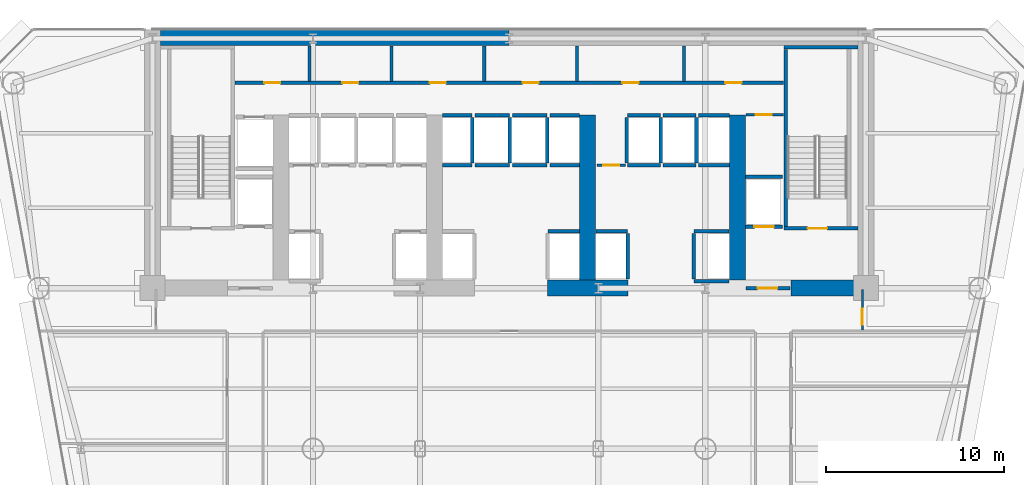
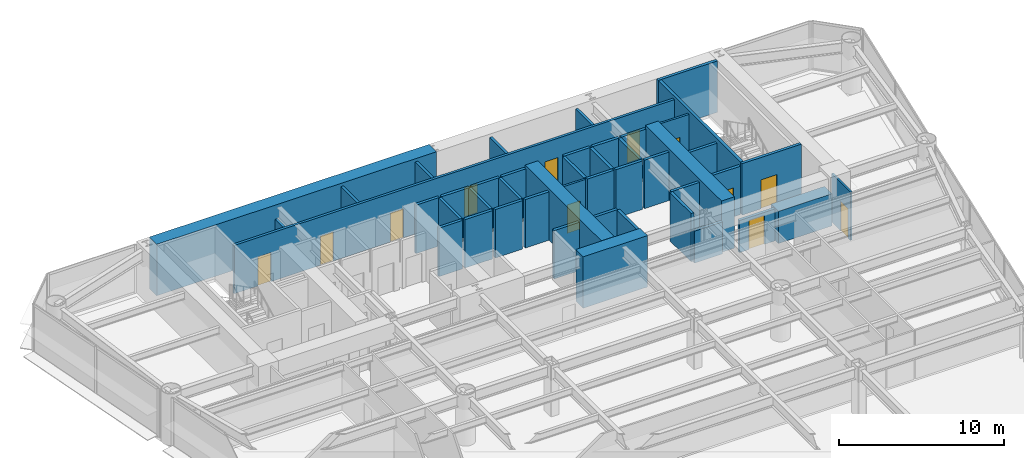
# One storey, part 9 of 14: 46 walls, 12 doors, 12 openings.
"""IFC4 building model written with IfcOpenShell, lengths in metres."""

from ifc_helpers import new_model, si_unit, direction, frame, frame_2d, origin, place, context, subcontext, project, spatial, rectangle, extrude, source, transform, mapped, material, layer, layer_set, type_object, element, fill, save


model = new_model("IFC4")

# Units and contexts
model_context = context("Model", 3, precision=1e-05, world=origin(), true_north=direction((0.0, 1.0)))
body_context = subcontext(model_context, "Body", "Model", "MODEL_VIEW")
ifc_project = project(units=[si_unit("LENGTHUNIT", "METRE"), si_unit("AREAUNIT", "SQUARE_METRE"), si_unit("VOLUMEUNIT", "CUBIC_METRE"), si_unit("PLANEANGLEUNIT", "RADIAN"), si_unit("MASSUNIT", "GRAM", prefix="KILO")], contexts=[model_context])

# Site, building, storey
site_placement = place(None, origin())
site = spatial("IfcSite", under=ifc_project, at=site_placement, CompositionType="ELEMENT")
building_placement = place(site_placement, origin())
building = spatial("IfcBuilding", under=site, at=building_placement, Name="Vaeldorn Concourse Tower", CompositionType="ELEMENT")
storey_placement = place(building_placement, frame((0.0, 0.0, 64.39990234375)))
storey = spatial("IfcBuildingStorey", under=building, at=storey_placement, Name="L16", CompositionType="ELEMENT", Elevation=64.39990234375)

# Walls
ifc_material_1 = material(Name="Concrete C60/75", Category="concrete")
ifc_layer_1 = layer(ifc_material_1, 0.89990234375)
ifc_layer_set_1 = layer_set([ifc_layer_1], Name="Concrete C60/75")
wall_type_1 = type_object("IfcWallType", Name="WL-CORE-900", PredefinedType="SHEAR", material=ifc_layer_set_1)
wall_1_placement = place(storey_placement, frame((14.4541015625, 50.550048828125, 0.0), z_axis=(0.0, 0.0, 1.0), x_axis=(1.0, 0.0, 0.0)))
element("IfcWall", 1, at=wall_1_placement, inside=storey, type_object=wall_type_1, Name="Rear Core Shear Wall L16 N1", PredefinedType="SHEAR", context=body_context, shape_type="SweptSolid", body=[
    extrude(rectangle(XDim=19.5439453125, YDim=0.89990234375, at=frame_2d((9.77197265625, 0.0))), origin(), (0.0, 0.0, 1.0), 3.800048828125),
])
wall_2_placement = place(storey_placement, frame((36.14990234375, 36.5, 0.0), z_axis=(0.0, 0.0, 1.0), x_axis=(1.0, 0.0, 0.0)))
element("IfcWall", 2, at=wall_2_placement, inside=storey, type_object=wall_type_1, Name="Rear Core Shear Wall L16 S3", PredefinedType="SHEAR", context=body_context, shape_type="SweptSolid", body=[
    extrude(rectangle(XDim=4.5, YDim=0.89990234375, at=frame_2d((2.25, 0.0))), origin(), (0.0, 0.0, 1.0), 3.800048828125),
])
wall_3_placement = place(storey_placement, frame((49.800048828125, 36.5, 0.0), z_axis=(0.0, 0.0, 1.0), x_axis=(1.0, 0.0, 0.0)))
element("IfcWall", 3, at=wall_3_placement, inside=storey, type_object=wall_type_1, Name="Rear Core Shear Wall L16 S4", PredefinedType="SHEAR", context=body_context, shape_type="SweptSolid", body=[
    extrude(rectangle(XDim=3.72998046875, YDim=0.89990234375, at=frame_2d((1.864990234375, 0.0))), origin(), (0.0, 0.0, 1.0), 2.380126953125),
])
for number, where, z_axis, x_axis, name in (
    (4, (38.39990234375, 36.969970703125, 0.0), (0.0, 0.0, 1.0), (0.0, 1.0, 0.0), "Rear Core Shear Wall L16 M3"),
    (5, (46.800048828125, 36.969970703125, 0.0), (0.0, 0.0, 1.0), (0.0, 1.0, 0.0), "Rear Core Shear Wall L16 M4"),
):
    element("IfcWall", number, at=place(storey_placement, frame(where, z_axis=z_axis, x_axis=x_axis)), inside=storey, type_object=wall_type_1, Name=name, PredefinedType="SHEAR", context=body_context, shape_type="SweptSolid", body=[
        extrude(rectangle(XDim=9.22998046875, YDim=0.89990234375, at=frame_2d((4.614990234375, 0.0))), origin(), (0.0, 0.0, 1.0), 3.800048828125),
    ])

# Wall, opening, door
ifc_material_2 = material(Name="Gypsum Board Partition", Category="gypsum")
ifc_layer_2 = layer(ifc_material_2, 0.1201171875)
ifc_layer_set_2 = layer_set([ifc_layer_2], Name="Gypsum Board Partition")
wall_type_2 = type_object("IfcWallType", Name="WL-PART-120", PredefinedType="PARTITIONING", material=ifc_layer_set_2)
wall_4_placement = place(storey_placement, frame((53.800048828125, 34.159912109375, 0.0), z_axis=(0.0, 0.0, 1.0), x_axis=(0.0, 1.0, 0.0)))
wall_4 = element("IfcWall", 6, at=wall_4_placement, inside=storey, type_object=wall_type_2, Name="Interior Wall PW-L16-CEET", PredefinedType="PARTITIONING", context=body_context, shape_type="SweptSolid", body=[
    extrude(rectangle(XDim=2.280029296875, YDim=0.1201171875, at=frame_2d((1.14013671875, 0.0))), origin(), (0.0, 0.0, 1.0), 3.580078125),
])
opening_1_placement = place(wall_4_placement, frame((0.300048828125, 0.0, 0.0)))
opening_1 = element("IfcOpeningElement", 7, at=opening_1_placement, cuts=wall_4, Name="Opening D-03", PredefinedType="OPENING", context=body_context, shape_type="SweptSolid", body=[
    extrude(rectangle(XDim=0.89990234375, YDim=2.14990234375, at=frame_2d((0.449951171875, 1.074951171875))), frame((0.0, 0.070068359375, 0.0), z_axis=(0.0, -1.0, 0.0), x_axis=(1.0, 0.0, 0.0)), (0.0, 0.0, 1.0), 0.14013671875),
])
ifc_material_3 = material(Name="Acoustic Bronze-Framed Glass Door", Category="glass")
door_type_1 = type_object("IfcDoorType", Name="DR-INT-900", OperationType="NOTDEFINED", PredefinedType="DOOR", material=ifc_material_3)
shared_shape_1 = source(origin(), body_context, "Body", "SweptSolid", [
    extrude(rectangle(XDim=0.89990234375, YDim=2.14990234375, at=frame_2d((0.449951171875, 1.074951171875))), frame((0.0, 0.02490234375, 0.0), z_axis=(0.0, -1.0, 0.0), x_axis=(1.0, 0.0, 0.0)), (0.0, 0.0, 1.0), 0.050048828125),
])
door_1_placement = place(opening_1_placement, origin())
door_1 = element("IfcDoor", 8, at=door_1_placement, inside=storey, type_object=door_type_1, Name="Interior Door DR-L16-NE1", OperationType="SINGLE_SWING_RIGHT", OverallHeight=2.14990234375, OverallWidth=0.89990234375, PredefinedType="DOOR", context=body_context, shape_type="MappedRepresentation", body=[
    mapped(shared_shape_1, transform((0.0, 0.0, 0.0), scale=1.0)),
])
fill(opening_1, door_1)

ifc_layer_3 = layer(ifc_material_2, 0.14990234375)
ifc_layer_set_3 = layer_set([ifc_layer_3], Name="Gypsum Board Partition")
wall_type_3 = type_object("IfcWallType", Name="WL-PART-150", PredefinedType="PARTITIONING", material=ifc_layer_set_3)
wall_5_placement = place(storey_placement, frame((47.280029296875, 46.219970703125, 0.0), z_axis=(0.0, 0.0, 1.0), x_axis=(1.0, 0.0, 0.0)))
wall_5 = element("IfcWall", 9, at=wall_5_placement, inside=storey, type_object=wall_type_3, Name="Interior Wall CW-L16-CRSE-N", PredefinedType="PARTITIONING", context=body_context, shape_type="SweptSolid", body=[
    extrude(rectangle(XDim=2.099853515625, YDim=0.14990234375, at=frame_2d((1.0498046875, 0.0))), origin(), (0.0, 0.0, 1.0), 3.580078125),
])
opening_2_placement = place(wall_5_placement, frame((0.550048828125, 0.0, 0.0)))
opening_2 = element("IfcOpeningElement", 10, at=opening_2_placement, cuts=wall_5, Name="Opening D-02", PredefinedType="OPENING", context=body_context, shape_type="SweptSolid", body=[
    extrude(rectangle(XDim=0.89990234375, YDim=2.10009765625, at=frame_2d((0.449951171875, 1.050048828125))), frame((0.0, 0.0849609375, 0.0), z_axis=(0.0, -1.0, 0.0), x_axis=(1.0, 0.0, 0.0)), (0.0, 0.0, 1.0), 0.169921875),
])
ifc_material_4 = material(Name="Fire-Rated Timber Leaf", Category="wood")
door_type_2 = type_object("IfcDoorType", Name="DR-FD30-900", OperationType="NOTDEFINED", PredefinedType="DOOR", material=ifc_material_4)
shared_shape_2 = source(origin(), body_context, "Body", "SweptSolid", [
    extrude(rectangle(XDim=0.89990234375, YDim=2.10009765625, at=frame_2d((0.449951171875, 1.050048828125))), frame((0.0, 0.02490234375, 0.0), z_axis=(0.0, -1.0, 0.0), x_axis=(1.0, 0.0, 0.0)), (0.0, 0.0, 1.0), 0.050048828125),
])
door_2_placement = place(opening_2_placement, origin())
door_2 = element("IfcDoor", 11, at=door_2_placement, inside=storey, type_object=door_type_2, Name="Interior Door DR-L16-CRSE", OperationType="SINGLE_SWING_RIGHT", OverallHeight=2.10009765625, OverallWidth=0.89990234375, PredefinedType="DOOR", context=body_context, shape_type="MappedRepresentation", body=[
    mapped(shared_shape_2, transform((0.0, 0.0, 0.0), scale=1.0)),
])
fill(opening_2, door_2)

wall_6_placement = place(storey_placement, frame((38.919921875, 43.39990234375, 0.0), z_axis=(0.0, 0.0, 1.0), x_axis=(1.0, 0.0, 0.0)))
wall_6 = element("IfcWall", 12, at=wall_6_placement, inside=storey, type_object=wall_type_3, Name="Interior Wall CW-L16-CCLINK", PredefinedType="PARTITIONING", context=body_context, shape_type="SweptSolid", body=[
    extrude(rectangle(XDim=1.60009765625, YDim=0.14990234375, at=frame_2d((0.800048828125, 0.0))), origin(), (0.0, 0.0, 1.0), 3.580078125),
])
opening_3_placement = place(wall_6_placement, frame((0.35009765625, 0.0, 0.0)))
opening_3 = element("IfcOpeningElement", 13, at=opening_3_placement, cuts=wall_6, Name="Opening D-02", PredefinedType="OPENING", context=body_context, shape_type="SweptSolid", body=[
    extrude(rectangle(XDim=0.89990234375, YDim=2.10009765625, at=frame_2d((0.449951171875, 1.050048828125))), frame((0.0, 0.0849609375, 0.0), z_axis=(0.0, -1.0, 0.0), x_axis=(1.0, 0.0, 0.0)), (0.0, 0.0, 1.0), 0.169921875),
])
door_3_placement = place(opening_3_placement, origin())
door_3 = element("IfcDoor", 14, at=door_3_placement, inside=storey, type_object=door_type_2, Name="Interior Door DR-L16-CCLINK", OperationType="SINGLE_SWING_LEFT", OverallHeight=2.10009765625, OverallWidth=0.89990234375, PredefinedType="DOOR", context=body_context, shape_type="MappedRepresentation", body=[
    mapped(shared_shape_2, transform((0.0, 0.0, 0.0), scale=1.0)),
])
fill(opening_3, door_3)

# Wall, openings, doors
ifc_layer_4 = layer(ifc_material_2, 0.179931640625)
ifc_layer_set_4 = layer_set([ifc_layer_4], Name="Gypsum Board Partition")
wall_type_4 = type_object("IfcWallType", Name="WL-PLUMB-180", PredefinedType="PLUMBINGWALL", material=ifc_layer_set_4)
wall_7_placement = place(storey_placement, frame((18.6201171875, 48.02001953125, 0.0), z_axis=(0.0, 0.0, 1.0), x_axis=(1.0, 0.0, 0.0)))
wall_7 = element("IfcWall", 15, at=wall_7_placement, inside=storey, type_object=wall_type_4, Name="Interior Wall CW-L16-NS3", PredefinedType="PLUMBINGWALL", context=body_context, shape_type="SweptSolid", body=[
    extrude(rectangle(XDim=30.759765625, YDim=0.179931640625, at=frame_2d((15.3798828125, 0.0))), origin(), (0.0, 0.0, 1.0), 3.580078125),
])
opening_4_placement = place(wall_7_placement, frame((1.655029296875, 0.0, 0.0)))
opening_4 = element("IfcOpeningElement", 16, at=opening_4_placement, cuts=wall_7, Name="Opening D-03", PredefinedType="OPENING", context=body_context, shape_type="SweptSolid", body=[
    extrude(rectangle(XDim=0.89990234375, YDim=2.14990234375, at=frame_2d((0.449951171875, 1.074951171875))), frame((0.0, 0.10009765625, 0.0), z_axis=(0.0, -1.0, 0.0), x_axis=(1.0, 0.0, 0.0)), (0.0, 0.0, 1.0), 0.199951171875),
])
opening_5_placement = place(wall_7_placement, frame((6.030029296875, 0.0, 0.0)))
opening_5 = element("IfcOpeningElement", 17, at=opening_5_placement, cuts=wall_7, Name="Opening D-03", PredefinedType="OPENING", context=body_context, shape_type="SweptSolid", body=[
    extrude(rectangle(XDim=0.89990234375, YDim=2.14990234375, at=frame_2d((0.449951171875, 1.074951171875))), frame((0.0, 0.10009765625, 0.0), z_axis=(0.0, -1.0, 0.0), x_axis=(1.0, 0.0, 0.0)), (0.0, 0.0, 1.0), 0.199951171875),
])
opening_6_placement = place(wall_7_placement, frame((10.929931640625, 0.0, 0.0)))
opening_6 = element("IfcOpeningElement", 18, at=opening_6_placement, cuts=wall_7, Name="Opening D-03", PredefinedType="OPENING", context=body_context, shape_type="SweptSolid", body=[
    extrude(rectangle(XDim=0.89990234375, YDim=2.14990234375, at=frame_2d((0.449951171875, 1.074951171875))), frame((0.0, 0.10009765625, 0.0), z_axis=(0.0, -1.0, 0.0), x_axis=(1.0, 0.0, 0.0)), (0.0, 0.0, 1.0), 0.199951171875),
])
opening_7_placement = place(wall_7_placement, frame((16.1298828125, 0.0, 0.0)))
opening_7 = element("IfcOpeningElement", 19, at=opening_7_placement, cuts=wall_7, Name="Opening D-03", PredefinedType="OPENING", context=body_context, shape_type="SweptSolid", body=[
    extrude(rectangle(XDim=0.89990234375, YDim=2.14990234375, at=frame_2d((0.449951171875, 1.074951171875))), frame((0.0, 0.10009765625, 0.0), z_axis=(0.0, -1.0, 0.0), x_axis=(1.0, 0.0, 0.0)), (0.0, 0.0, 1.0), 0.199951171875),
])
opening_8_placement = place(wall_7_placement, frame((21.72998046875, 0.0, 0.0)))
opening_8 = element("IfcOpeningElement", 20, at=opening_8_placement, cuts=wall_7, Name="Opening D-03", PredefinedType="OPENING", context=body_context, shape_type="SweptSolid", body=[
    extrude(rectangle(XDim=0.89990234375, YDim=2.14990234375, at=frame_2d((0.449951171875, 1.074951171875))), frame((0.0, 0.10009765625, 0.0), z_axis=(0.0, -1.0, 0.0), x_axis=(1.0, 0.0, 0.0)), (0.0, 0.0, 1.0), 0.199951171875),
])
opening_9_placement = place(wall_7_placement, frame((27.5048828125, 0.0, 0.0)))
opening_9 = element("IfcOpeningElement", 21, at=opening_9_placement, cuts=wall_7, Name="Opening D-03", PredefinedType="OPENING", context=body_context, shape_type="SweptSolid", body=[
    extrude(rectangle(XDim=0.89990234375, YDim=2.14990234375, at=frame_2d((0.449951171875, 1.074951171875))), frame((0.0, 0.10009765625, 0.0), z_axis=(0.0, -1.0, 0.0), x_axis=(1.0, 0.0, 0.0)), (0.0, 0.0, 1.0), 0.199951171875),
])
door_4_placement = place(opening_4_placement, origin())
door_4 = element("IfcDoor", 22, at=door_4_placement, inside=storey, type_object=door_type_1, Name="Interior Door DR-L16-CS1", OperationType="SINGLE_SWING_LEFT", OverallHeight=2.14990234375, OverallWidth=0.89990234375, PredefinedType="DOOR", context=body_context, shape_type="MappedRepresentation", body=[
    mapped(shared_shape_1, transform((0.0, 0.0, 0.0), scale=1.0)),
])
fill(opening_4, door_4)
door_5_placement = place(opening_5_placement, origin())
door_5 = element("IfcDoor", 23, at=door_5_placement, inside=storey, type_object=door_type_1, Name="Interior Door DR-L16-CS2", OperationType="SINGLE_SWING_RIGHT", OverallHeight=2.14990234375, OverallWidth=0.89990234375, PredefinedType="DOOR", context=body_context, shape_type="MappedRepresentation", body=[
    mapped(shared_shape_1, transform((0.0, 0.0, 0.0), scale=1.0)),
])
fill(opening_5, door_5)
door_6_placement = place(opening_6_placement, origin())
door_6 = element("IfcDoor", 24, at=door_6_placement, inside=storey, type_object=door_type_1, Name="Interior Door DR-L16-CS3", OperationType="SINGLE_SWING_LEFT", OverallHeight=2.14990234375, OverallWidth=0.89990234375, PredefinedType="DOOR", context=body_context, shape_type="MappedRepresentation", body=[
    mapped(shared_shape_1, transform((0.0, 0.0, 0.0), scale=1.0)),
])
fill(opening_6, door_6)
door_7_placement = place(opening_7_placement, origin())
door_7 = element("IfcDoor", 25, at=door_7_placement, inside=storey, type_object=door_type_1, Name="Interior Door DR-L16-CS4", OperationType="SINGLE_SWING_RIGHT", OverallHeight=2.14990234375, OverallWidth=0.89990234375, PredefinedType="DOOR", context=body_context, shape_type="MappedRepresentation", body=[
    mapped(shared_shape_1, transform((0.0, 0.0, 0.0), scale=1.0)),
])
fill(opening_7, door_7)
door_8_placement = place(opening_8_placement, origin())
door_8 = element("IfcDoor", 26, at=door_8_placement, inside=storey, type_object=door_type_1, Name="Interior Door DR-L16-CS5", OperationType="SINGLE_SWING_LEFT", OverallHeight=2.14990234375, OverallWidth=0.89990234375, PredefinedType="DOOR", context=body_context, shape_type="MappedRepresentation", body=[
    mapped(shared_shape_1, transform((0.0, 0.0, 0.0), scale=1.0)),
])
fill(opening_8, door_8)
door_9_placement = place(opening_9_placement, origin())
door_9 = element("IfcDoor", 27, at=door_9_placement, inside=storey, type_object=door_type_1, Name="Interior Door DR-L16-CS6", OperationType="SINGLE_SWING_RIGHT", OverallHeight=2.14990234375, OverallWidth=0.89990234375, PredefinedType="DOOR", context=body_context, shape_type="MappedRepresentation", body=[
    mapped(shared_shape_1, transform((0.0, 0.0, 0.0), scale=1.0)),
])
fill(opening_9, door_9)

# Walls
wall_8_placement = place(storey_placement, frame((22.800048828125, 48.10009765625, 0.0), z_axis=(0.0, 0.0, 1.0), x_axis=(0.0, 1.0, 0.0)))
element("IfcWall", 28, at=wall_8_placement, inside=storey, type_object=wall_type_4, Name="Interior Wall CW-L16-NDIV1", PredefinedType="PLUMBINGWALL", context=body_context, shape_type="SweptSolid", body=[
    extrude(rectangle(XDim=1.97998046875, YDim=0.179931640625, at=frame_2d((0.989990234375, 0.0))), origin(), (0.0, 0.0, 1.0), 2.77001953125),
])
for number, where, z_axis, x_axis, name in (
    (29, (27.39990234375, 48.10009765625, 0.0), (0.0, 0.0, 1.0), (0.0, 1.0, 0.0), "Interior Wall CW-L16-NDIV2"),
    (30, (32.60009765625, 48.10009765625, 0.0), (0.0, 0.0, 1.0), (0.0, 1.0, 0.0), "Interior Wall CW-L16-NDIV3"),
    (31, (37.800048828125, 48.10009765625, 0.0), (0.0, 0.0, 1.0), (0.0, 1.0, 0.0), "Interior Wall CW-L16-NDIV4"),
    (32, (43.800048828125, 48.10009765625, 0.0), (0.0, 0.0, 1.0), (0.0, 1.0, 0.0), "Interior Wall CW-L16-NDIV5"),
):
    element("IfcWall", number, at=place(storey_placement, frame(where, z_axis=z_axis, x_axis=x_axis)), inside=storey, type_object=wall_type_4, Name=name, PredefinedType="PLUMBINGWALL", context=body_context, shape_type="SweptSolid", body=[
        extrude(rectangle(XDim=1.97998046875, YDim=0.179931640625, at=frame_2d((0.989990234375, 0.0))), origin(), (0.0, 0.0, 1.0), 3.580078125),
    ])

# Wall, opening, door
ifc_material_5 = material(Name="Concrete C50/60", Category="concrete")
ifc_layer_5 = layer(ifc_material_5, 0.199951171875)
ifc_layer_set_5 = layer_set([ifc_layer_5], Name="Concrete C50/60")
wall_type_5 = type_object("IfcWallType", Name="WL-SHAFT-200", PredefinedType="SOLIDWALL", material=ifc_layer_set_5)
wall_9_placement = place(storey_placement, frame((49.39990234375, 39.85009765625, 0.0), z_axis=(0.0, 0.0, 1.0), x_axis=(1.0, 0.0, 0.0)))
wall_9 = element("IfcWall", 33, at=wall_9_placement, inside=storey, type_object=wall_type_5, Name="Stair Shaft Wall CW-L16-ST-2-S", PredefinedType="SOLIDWALL", context=body_context, shape_type="SweptSolid", body=[
    extrude(rectangle(XDim=4.150146484375, YDim=0.199951171875, at=frame_2d((2.0751953125, 0.0))), origin(), (0.0, 0.0, 1.0), 3.800048828125),
])
opening_10_placement = place(wall_9_placement, frame((1.324951171875, 0.0, 0.0)))
opening_10 = element("IfcOpeningElement", 34, at=opening_10_placement, cuts=wall_9, Name="Opening D-01", PredefinedType="OPENING", context=body_context, shape_type="SweptSolid", body=[
    extrude(rectangle(XDim=1.10009765625, YDim=2.14990234375, at=frame_2d((0.550048828125, 1.074951171875))), frame((0.0, 0.10986328125, 0.0), z_axis=(0.0, -1.0, 0.0), x_axis=(1.0, 0.0, 0.0)), (0.0, 0.0, 1.0), 0.219970703125),
])
ifc_material_6 = material(Name="Fire-Rated Timber and Steel Leaf", Category="steel")
door_type_3 = type_object("IfcDoorType", Name="DR-FD60-1100", OperationType="NOTDEFINED", PredefinedType="DOOR", material=ifc_material_6)
shared_shape_3 = source(origin(), body_context, "Body", "SweptSolid", [
    extrude(rectangle(XDim=1.10009765625, YDim=2.14990234375, at=frame_2d((0.550048828125, 1.074951171875))), frame((0.0, 0.02490234375, 0.0), z_axis=(0.0, -1.0, 0.0), x_axis=(1.0, 0.0, 0.0)), (0.0, 0.0, 1.0), 0.050048828125),
])
door_10_placement = place(opening_10_placement, origin())
door_10 = element("IfcDoor", 35, at=door_10_placement, inside=storey, type_object=door_type_3, Name="Interior Door DR-L16-ST-2", OperationType="SINGLE_SWING_RIGHT", OverallHeight=2.14990234375, OverallWidth=1.10009765625, PredefinedType="DOOR", context=body_context, shape_type="MappedRepresentation", body=[
    mapped(shared_shape_3, transform((0.0, 0.0, 0.0), scale=1.0)),
])
fill(opening_10, door_10)

# Walls
wall_10_placement = place(storey_placement, frame((49.39990234375, 50.0, 0.0), z_axis=(0.0, 0.0, 1.0), x_axis=(1.0, 0.0, 0.0)))
element("IfcWall", 36, at=wall_10_placement, inside=storey, type_object=wall_type_5, Name="Stair Shaft Wall CW-L16-ST-2-N", PredefinedType="SOLIDWALL", context=body_context, shape_type="SweptSolid", body=[
    extrude(rectangle(XDim=4.150146484375, YDim=0.199951171875, at=frame_2d((2.0751953125, 0.0))), origin(), (0.0, 0.0, 1.0), 3.800048828125),
])
wall_11_placement = place(storey_placement, frame((49.5, 39.9599609375, 0.0), z_axis=(0.0, 0.0, 1.0), x_axis=(0.0, 1.0, 0.0)))
element("IfcWall", 37, at=wall_11_placement, inside=storey, type_object=wall_type_5, Name="Stair Shaft Wall CW-L16-ST-2-W", PredefinedType="SOLIDWALL", context=body_context, shape_type="SweptSolid", body=[
    extrude(rectangle(XDim=9.929931640625, YDim=0.199951171875, at=frame_2d((4.96484375, 0.0))), origin(), (0.0, 0.0, 1.0), 3.800048828125),
])

# Wall, opening, door
wall_12_placement = place(storey_placement, frame((47.280029296875, 36.5, 0.0), z_axis=(0.0, 0.0, 1.0), x_axis=(1.0, 0.0, 0.0)))
wall_12 = element("IfcWall", 38, at=wall_12_placement, inside=storey, type_object=wall_type_5, Name="Interior Wall CW-L16-FF2S", PredefinedType="SOLIDWALL", context=body_context, shape_type="SweptSolid", body=[
    extrude(rectangle(XDim=2.469970703125, YDim=0.199951171875, at=frame_2d((1.23486328125, 0.0))), origin(), (0.0, 0.0, 1.0), 2.3701171875),
])
opening_11_placement = place(wall_12_placement, frame((0.64990234375, 0.0, 0.0)))
opening_11 = element("IfcOpeningElement", 39, at=opening_11_placement, cuts=wall_12, Name="Opening D-01", PredefinedType="OPENING", context=body_context, shape_type="SweptSolid", body=[
    extrude(rectangle(XDim=1.10009765625, YDim=2.14990234375, at=frame_2d((0.550048828125, 1.074951171875))), frame((0.0, 0.10986328125, 0.0), z_axis=(0.0, -1.0, 0.0), x_axis=(1.0, 0.0, 0.0)), (0.0, 0.0, 1.0), 0.219970703125),
])
door_11_placement = place(opening_11_placement, origin())
door_11 = element("IfcDoor", 40, at=door_11_placement, inside=storey, type_object=door_type_3, Name="Interior Door DR-L16-FF2W", OperationType="SINGLE_SWING_LEFT", OverallHeight=2.14990234375, OverallWidth=1.10009765625, PredefinedType="DOOR", context=body_context, shape_type="MappedRepresentation", body=[
    mapped(shared_shape_3, transform((0.0, 0.0, 0.0), scale=1.0)),
])
fill(opening_11, door_11)

# Walls
wall_13_placement = place(storey_placement, frame((36.169921875, 39.699951171875, 0.0), z_axis=(0.0, 0.0, 1.0), x_axis=(1.0, 0.0, 0.0)))
element("IfcWall", 41, at=wall_13_placement, inside=storey, type_object=wall_type_5, Name="Interior Wall CW-L16-LF-LF-08", PredefinedType="SOLIDWALL", context=body_context, shape_type="SweptSolid", body=[
    extrude(rectangle(XDim=1.77001953125, YDim=0.199951171875, at=frame_2d((0.885009765625, 0.0))), origin(), (0.0, 0.0, 1.0), 3.580078125),
])
for number, where, z_axis, x_axis, name in (
    (42, (30.260009765625, 43.39990234375, 0.0), (0.0, 0.0, 1.0), (1.0, 0.0, 0.0), "Interior Wall CW-L16-LF-LF-09"),
    (43, (30.260009765625, 46.199951171875, 0.0), (0.0, 0.0, 1.0), (1.0, 0.0, 0.0), "Interior Wall CW-L16-LFB-LF-09"),
):
    element("IfcWall", number, at=place(storey_placement, frame(where, z_axis=z_axis, x_axis=x_axis)), inside=storey, type_object=wall_type_5, Name=name, PredefinedType="SOLIDWALL", context=body_context, shape_type="SweptSolid", body=[
        extrude(rectangle(XDim=1.64990234375, YDim=0.199951171875, at=frame_2d((0.824951171875, 0.0))), origin(), (0.0, 0.0, 1.0), 3.580078125),
    ])
wall_14_placement = place(storey_placement, frame((31.929931640625, 43.52001953125, 0.0), z_axis=(0.0, 0.0, 1.0), x_axis=(0.0, 1.0, 0.0)))
element("IfcWall", 44, at=wall_14_placement, inside=storey, type_object=wall_type_5, Name="Interior Wall CW-L16-LFE-LF-09", PredefinedType="SOLIDWALL", context=body_context, shape_type="SweptSolid", body=[
    extrude(rectangle(XDim=2.56005859375, YDim=0.199951171875, at=frame_2d((1.280029296875, 0.0))), origin(), (0.0, 0.0, 1.0), 3.580078125),
])
for number, where, z_axis, x_axis, name in (
    (45, (32.090087890625, 43.39990234375, 0.0), (0.0, 0.0, 1.0), (1.0, 0.0, 0.0), "Interior Wall CW-L16-LF-LF-10"),
    (46, (32.090087890625, 46.199951171875, 0.0), (0.0, 0.0, 1.0), (1.0, 0.0, 0.0), "Interior Wall CW-L16-LFB-LF-10"),
):
    element("IfcWall", number, at=place(storey_placement, frame(where, z_axis=z_axis, x_axis=x_axis)), inside=storey, type_object=wall_type_5, Name=name, PredefinedType="SOLIDWALL", context=body_context, shape_type="SweptSolid", body=[
        extrude(rectangle(XDim=1.919921875, YDim=0.199951171875, at=frame_2d((0.9599609375, 0.0))), origin(), (0.0, 0.0, 1.0), 3.580078125),
    ])
wall_15_placement = place(storey_placement, frame((34.030029296875, 43.52001953125, 0.0), z_axis=(0.0, 0.0, 1.0), x_axis=(0.0, 1.0, 0.0)))
element("IfcWall", 47, at=wall_15_placement, inside=storey, type_object=wall_type_5, Name="Interior Wall CW-L16-LFE-LF-10", PredefinedType="SOLIDWALL", context=body_context, shape_type="SweptSolid", body=[
    extrude(rectangle(XDim=2.56005859375, YDim=0.199951171875, at=frame_2d((1.280029296875, 0.0))), origin(), (0.0, 0.0, 1.0), 3.580078125),
])
for number, where, z_axis, x_axis, name in (
    (48, (34.18994140625, 43.39990234375, 0.0), (0.0, 0.0, 1.0), (1.0, 0.0, 0.0), "Interior Wall CW-L16-LF-LF-11"),
    (49, (34.18994140625, 46.199951171875, 0.0), (0.0, 0.0, 1.0), (1.0, 0.0, 0.0), "Interior Wall CW-L16-LFB-LF-11"),
):
    element("IfcWall", number, at=place(storey_placement, frame(where, z_axis=z_axis, x_axis=x_axis)), inside=storey, type_object=wall_type_5, Name=name, PredefinedType="SOLIDWALL", context=body_context, shape_type="SweptSolid", body=[
        extrude(rectangle(XDim=1.920166015625, YDim=0.199951171875, at=frame_2d((0.9599609375, 0.0))), origin(), (0.0, 0.0, 1.0), 3.580078125),
    ])
wall_16_placement = place(storey_placement, frame((36.1298828125, 43.52001953125, 0.0), z_axis=(0.0, 0.0, 1.0), x_axis=(0.0, 1.0, 0.0)))
element("IfcWall", 50, at=wall_16_placement, inside=storey, type_object=wall_type_5, Name="Interior Wall CW-L16-LFE-LF-11", PredefinedType="SOLIDWALL", context=body_context, shape_type="SweptSolid", body=[
    extrude(rectangle(XDim=2.56005859375, YDim=0.199951171875, at=frame_2d((1.280029296875, 0.0))), origin(), (0.0, 0.0, 1.0), 3.580078125),
])
for number, where, z_axis, x_axis, name in (
    (51, (36.2900390625, 43.39990234375, 0.0), (0.0, 0.0, 1.0), (1.0, 0.0, 0.0), "Interior Wall CW-L16-LF-LF-12"),
    (52, (36.2900390625, 46.199951171875, 0.0), (0.0, 0.0, 1.0), (1.0, 0.0, 0.0), "Interior Wall CW-L16-LFB-LF-12"),
):
    element("IfcWall", number, at=place(storey_placement, frame(where, z_axis=z_axis, x_axis=x_axis)), inside=storey, type_object=wall_type_5, Name=name, PredefinedType="SOLIDWALL", context=body_context, shape_type="SweptSolid", body=[
        extrude(rectangle(XDim=1.64990234375, YDim=0.199951171875, at=frame_2d((0.824951171875, 0.0))), origin(), (0.0, 0.0, 1.0), 3.580078125),
    ])
wall_17_placement = place(storey_placement, frame((38.860107421875, 39.699951171875, 0.0), z_axis=(0.0, 0.0, 1.0), x_axis=(1.0, 0.0, 0.0)))
element("IfcWall", 53, at=wall_17_placement, inside=storey, type_object=wall_type_5, Name="Interior Wall CW-L16-LF-LF-13", PredefinedType="SOLIDWALL", context=body_context, shape_type="SweptSolid", body=[
    extrude(rectangle(XDim=1.769775390625, YDim=0.199951171875, at=frame_2d((0.884765625, 0.0))), origin(), (0.0, 0.0, 1.0), 3.580078125),
])
wall_18_placement = place(storey_placement, frame((40.64990234375, 37.02001953125, 0.0), z_axis=(0.0, 0.0, 1.0), x_axis=(0.0, 1.0, 0.0)))
element("IfcWall", 54, at=wall_18_placement, inside=storey, type_object=wall_type_5, Name="Interior Wall CW-L16-LFE-LF-13", PredefinedType="SOLIDWALL", context=body_context, shape_type="SweptSolid", body=[
    extrude(rectangle(XDim=2.56005859375, YDim=0.199951171875, at=frame_2d((1.280029296875, 0.0))), origin(), (0.0, 0.0, 1.0), 3.580078125),
])
wall_19_placement = place(storey_placement, frame((44.3701171875, 39.699951171875, 0.0), z_axis=(0.0, 0.0, 1.0), x_axis=(1.0, 0.0, 0.0)))
element("IfcWall", 55, at=wall_19_placement, inside=storey, type_object=wall_type_5, Name="Interior Wall CW-L16-LF-LF-14", PredefinedType="SOLIDWALL", context=body_context, shape_type="SweptSolid", body=[
    extrude(rectangle(XDim=1.9599609375, YDim=0.199951171875, at=frame_2d((0.97998046875, 0.0))), origin(), (0.0, 0.0, 1.0), 3.580078125),
])
wall_20_placement = place(storey_placement, frame((44.3701171875, 36.89990234375, 0.0), z_axis=(0.0, 0.0, 1.0), x_axis=(1.0, 0.0, 0.0)))
element("IfcWall", 56, at=wall_20_placement, inside=storey, type_object=wall_type_5, Name="Interior Wall CW-L16-LFB-LF-14", PredefinedType="SOLIDWALL", context=body_context, shape_type="SweptSolid", body=[
    extrude(rectangle(XDim=1.9599609375, YDim=0.199951171875, at=frame_2d((0.97998046875, 0.0))), origin(), (0.0, 0.0, 1.0), 2.3701171875),
])
wall_21_placement = place(storey_placement, frame((44.35009765625, 37.02001953125, 0.0), z_axis=(0.0, 0.0, 1.0), x_axis=(0.0, 1.0, 0.0)))
element("IfcWall", 57, at=wall_21_placement, inside=storey, type_object=wall_type_5, Name="Interior Wall CW-L16-LFW-LF-14", PredefinedType="SOLIDWALL", context=body_context, shape_type="SweptSolid", body=[
    extrude(rectangle(XDim=2.56005859375, YDim=0.199951171875, at=frame_2d((1.280029296875, 0.0))), origin(), (0.0, 0.0, 1.0), 3.580078125),
])
for number, where, z_axis, x_axis, name in (
    (58, (40.6201171875, 43.39990234375, 0.0), (0.0, 0.0, 1.0), (1.0, 0.0, 0.0), "Interior Wall CW-L16-LF-LF-15"),
    (59, (40.6201171875, 46.199951171875, 0.0), (0.0, 0.0, 1.0), (1.0, 0.0, 0.0), "Interior Wall CW-L16-LFB-LF-15"),
):
    element("IfcWall", number, at=place(storey_placement, frame(where, z_axis=z_axis, x_axis=x_axis)), inside=storey, type_object=wall_type_5, Name=name, PredefinedType="SOLIDWALL", context=body_context, shape_type="SweptSolid", body=[
        extrude(rectangle(XDim=1.85986328125, YDim=0.199951171875, at=frame_2d((0.929931640625, 0.0))), origin(), (0.0, 0.0, 1.0), 3.580078125),
    ])
for number, where, z_axis, x_axis, name in (
    (60, (40.60009765625, 43.52001953125, 0.0), (0.0, 0.0, 1.0), (0.0, 1.0, 0.0), "Interior Wall CW-L16-LFW-LF-15"),
    (61, (42.5, 43.52001953125, 0.0), (0.0, 0.0, 1.0), (0.0, 1.0, 0.0), "Interior Wall CW-L16-LFE-LF-15"),
):
    element("IfcWall", number, at=place(storey_placement, frame(where, z_axis=z_axis, x_axis=x_axis)), inside=storey, type_object=wall_type_5, Name=name, PredefinedType="SOLIDWALL", context=body_context, shape_type="SweptSolid", body=[
        extrude(rectangle(XDim=2.56005859375, YDim=0.199951171875, at=frame_2d((1.280029296875, 0.0))), origin(), (0.0, 0.0, 1.0), 3.580078125),
    ])
for number, where, z_axis, x_axis, name in (
    (62, (42.6201171875, 43.39990234375, 0.0), (0.0, 0.0, 1.0), (1.0, 0.0, 0.0), "Interior Wall CW-L16-LF-LF-16"),
    (63, (42.6201171875, 46.199951171875, 0.0), (0.0, 0.0, 1.0), (1.0, 0.0, 0.0), "Interior Wall CW-L16-LFB-LF-16"),
):
    element("IfcWall", number, at=place(storey_placement, frame(where, z_axis=z_axis, x_axis=x_axis)), inside=storey, type_object=wall_type_5, Name=name, PredefinedType="SOLIDWALL", context=body_context, shape_type="SweptSolid", body=[
        extrude(rectangle(XDim=1.85986328125, YDim=0.199951171875, at=frame_2d((0.929931640625, 0.0))), origin(), (0.0, 0.0, 1.0), 3.580078125),
    ])
wall_22_placement = place(storey_placement, frame((44.5, 43.52001953125, 0.0), z_axis=(0.0, 0.0, 1.0), x_axis=(0.0, 1.0, 0.0)))
element("IfcWall", 64, at=wall_22_placement, inside=storey, type_object=wall_type_5, Name="Interior Wall CW-L16-LFE-LF-16", PredefinedType="SOLIDWALL", context=body_context, shape_type="SweptSolid", body=[
    extrude(rectangle(XDim=2.56005859375, YDim=0.199951171875, at=frame_2d((1.280029296875, 0.0))), origin(), (0.0, 0.0, 1.0), 3.580078125),
])
for number, where, z_axis, x_axis, name in (
    (65, (44.6201171875, 43.39990234375, 0.0), (0.0, 0.0, 1.0), (1.0, 0.0, 0.0), "Interior Wall CW-L16-LF-LF-17"),
    (66, (44.6201171875, 46.199951171875, 0.0), (0.0, 0.0, 1.0), (1.0, 0.0, 0.0), "Interior Wall CW-L16-LFB-LF-17"),
):
    element("IfcWall", number, at=place(storey_placement, frame(where, z_axis=z_axis, x_axis=x_axis)), inside=storey, type_object=wall_type_5, Name=name, PredefinedType="SOLIDWALL", context=body_context, shape_type="SweptSolid", body=[
        extrude(rectangle(XDim=1.719970703125, YDim=0.199951171875, at=frame_2d((0.85986328125, 0.0))), origin(), (0.0, 0.0, 1.0), 3.580078125),
    ])

# Wall, opening, door
wall_23_placement = place(storey_placement, frame((47.260009765625, 39.949951171875, 0.0), z_axis=(0.0, 0.0, 1.0), x_axis=(1.0, 0.0, 0.0)))
wall_23 = element("IfcWall", 67, at=wall_23_placement, inside=storey, type_object=wall_type_5, Name="Interior Wall CW-L16-LF-LF-FF2", PredefinedType="SOLIDWALL", context=body_context, shape_type="SweptSolid", body=[
    extrude(rectangle(XDim=2.070068359375, YDim=0.199951171875, at=frame_2d((1.03515625, 0.0))), origin(), (0.0, 0.0, 1.0), 3.580078125),
])
opening_12_placement = place(wall_23_placement, frame((0.485107421875, 0.0, 0.0)))
opening_12 = element("IfcOpeningElement", 68, at=opening_12_placement, cuts=wall_23, Name="Opening LD-1", PredefinedType="OPENING", context=body_context, shape_type="SweptSolid", body=[
    extrude(rectangle(XDim=1.10009765625, YDim=2.14990234375, at=frame_2d((0.550048828125, 1.074951171875))), frame((0.0, 0.10986328125, 0.0), z_axis=(0.0, -1.0, 0.0), x_axis=(1.0, 0.0, 0.0)), (0.0, 0.0, 1.0), 0.219970703125),
])
ifc_material_7 = material(Name="Anodised Bronze Aluminium", Category="aluminium")
door_type_4 = type_object("IfcDoorType", Name="DR-LIFT-SLIDE-1100", OperationType="DOUBLE_DOOR_SLIDING", PredefinedType="DOOR", material=ifc_material_7)
door_12_placement = place(opening_12_placement, origin())
door_12 = element("IfcDoor", 69, at=door_12_placement, inside=storey, type_object=door_type_4, Name="Lift Landing Door LD-L16-LF-FF2", OperationType="DOUBLE_DOOR_SLIDING", OverallHeight=2.14990234375, OverallWidth=1.10009765625, PredefinedType="DOOR", context=body_context, shape_type="MappedRepresentation", body=[
    mapped(shared_shape_3, transform((0.0, 0.0, 0.0), scale=1.0)),
])
fill(opening_12, door_12)

# Wall
wall_24_placement = place(storey_placement, frame((47.260009765625, 42.75, 0.0), z_axis=(0.0, 0.0, 1.0), x_axis=(1.0, 0.0, 0.0)))
element("IfcWall", 70, at=wall_24_placement, inside=storey, type_object=wall_type_5, Name="Interior Wall CW-L16-LFB-LF-FF2", PredefinedType="SOLIDWALL", context=body_context, shape_type="SweptSolid", body=[
    extrude(rectangle(XDim=2.070068359375, YDim=0.199951171875, at=frame_2d((1.03515625, 0.0))), origin(), (0.0, 0.0, 1.0), 3.580078125),
])

save(model, "model.ifc")
